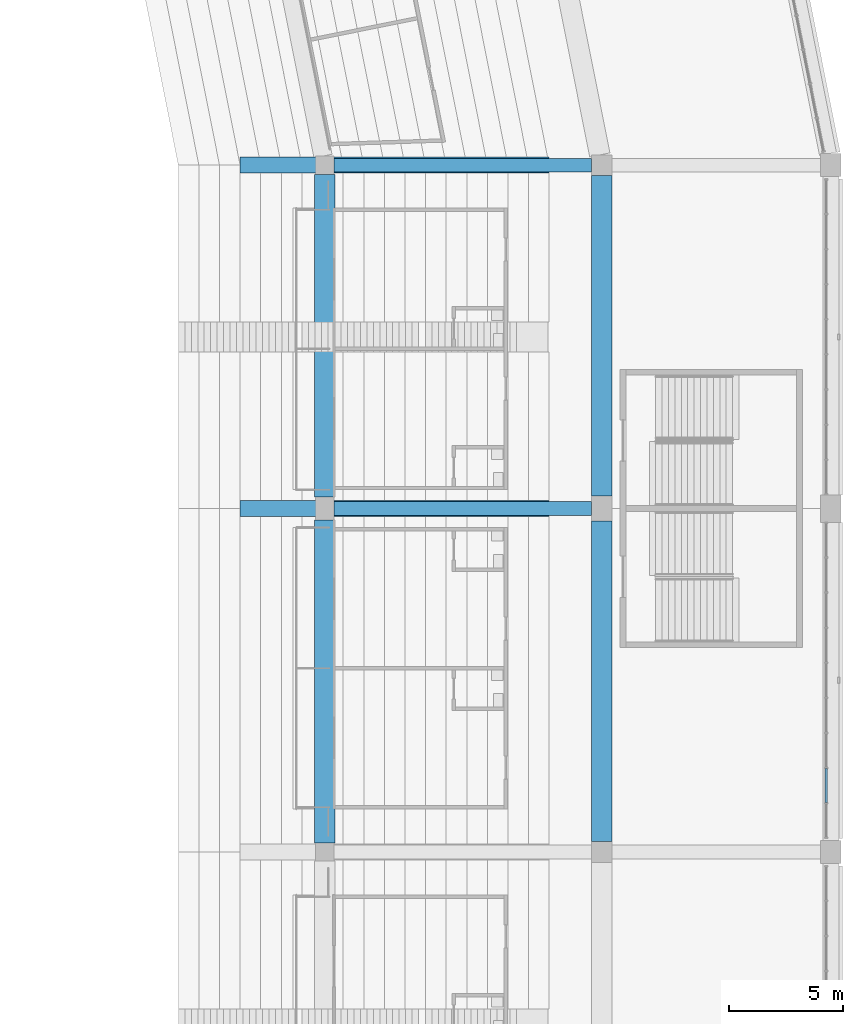
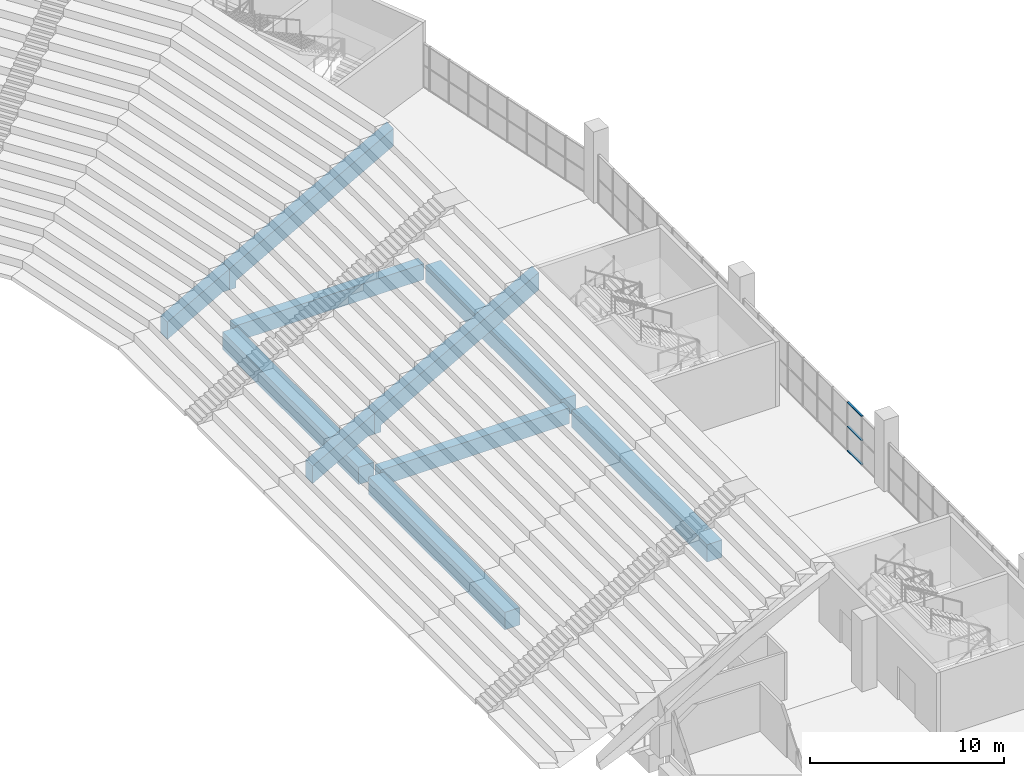
# One storey, part 54 of 249: 10 beams, 3 members, 1 element without a shape of its own.
"""IFC4 building model written with IfcOpenShell, lengths in metres."""

from ifc_helpers import new_model, si_unit, direction, frame, origin, origin_2d, place, context, subcontext, project, spatial, polyline, rectangle, outline, extrude, material, material_profile, profile_set, type_object, element, aggregate, save


model = new_model("IFC4")

# Units and contexts
model_context = context("Model", 3, precision=1e-05, world=origin(), true_north=direction((0.0, 1.0)))
body_context = subcontext(model_context, "Body", "Model", "MODEL_VIEW")
ifc_project = project(units=[si_unit("LENGTHUNIT", "METRE"), si_unit("AREAUNIT", "SQUARE_METRE"), si_unit("VOLUMEUNIT", "CUBIC_METRE"), si_unit("PLANEANGLEUNIT", "RADIAN"), si_unit("MASSUNIT", "GRAM", prefix="KILO")], contexts=[model_context])

# Site, building, storey
site_placement = place(None, origin())
site = spatial("IfcSite", under=ifc_project, at=site_placement, CompositionType="ELEMENT")
building_placement = place(site_placement, origin())
building = spatial("IfcBuilding", under=site, at=building_placement, Name="Ogive Plaza Stadium", CompositionType="ELEMENT")
storey_placement = place(building_placement, frame((0.0, 0.0, 13.5)))
storey = spatial("IfcBuildingStorey", under=building, at=storey_placement, Name="L03", CompositionType="ELEMENT", Elevation=13.5)

# Curtain wall, members
ifc_material_1 = material(Name="Bronze-anodised aluminium with laminated glass", Category="aluminium")
curtain_wall_type = type_object("IfcCurtainWallType", Name="Lancet curtain wall", PredefinedType="NOTDEFINED", material=ifc_material_1)
curtain_wall_placement = place(storey_placement, origin())
curtain_wall = element("IfcCurtainWall", 1, at=curtain_wall_placement, inside=storey, type_object=curtain_wall_type, Name="CURTAIN WALL B02 L03", PredefinedType="NOTDEFINED")
ifc_material_2 = material(Name="Bronze-anodised aluminium", Category="aluminium")
ifc_material_profile_1 = material_profile(ifc_material_2, rectangle(XDim=0.1201171875, YDim=0.050048828125, at=origin_2d()), Name="AL 120x50")
ifc_profile_set_1 = profile_set([ifc_material_profile_1], Name="Bronze-anodised aluminium")
member_type = type_object("IfcMemberType", Name="Curtain wall transom 50x120", PredefinedType="USERDEFINED", material=ifc_profile_set_1)
member_1_placement = place(storey_placement, frame((83.800048828125, 26.1416015625, 0.02490234375), z_axis=(0.0, -1.0, 0.0), x_axis=(1.0, 0.0, 0.0)))
member_1 = element("IfcMember", 2, at=member_1_placement, type_object=member_type, Name="CW-B02-L03 transom 8.1", ObjectType="TRANSOM", PredefinedType="USERDEFINED", context=body_context, shape_type="SweptSolid", body=[
    extrude(rectangle(XDim=0.1201171875, YDim=0.050048828125, at=origin_2d()), origin(), (0.0, 0.0, 1.0), 1.483154296875),
])
member_2_placement = place(storey_placement, frame((83.800048828125, 26.1416015625, 1.544921875), z_axis=(0.0, -1.0, 0.0), x_axis=(1.0, 0.0, 0.0)))
member_2 = element("IfcMember", 3, at=member_2_placement, type_object=member_type, Name="CW-B02-L03 transom 8.2", ObjectType="TRANSOM", PredefinedType="USERDEFINED", context=body_context, shape_type="SweptSolid", body=[
    extrude(rectangle(XDim=0.1201171875, YDim=0.050048828125, at=origin_2d()), origin(), (0.0, 0.0, 1.0), 1.483154296875),
])
member_3_placement = place(storey_placement, frame((83.800048828125, 26.1416015625, 3.06494140625), z_axis=(0.0, -1.0, 0.0), x_axis=(1.0, 0.0, 0.0)))
member_3 = element("IfcMember", 4, at=member_3_placement, type_object=member_type, Name="CW-B02-L03 transom 8.3", ObjectType="TRANSOM", PredefinedType="USERDEFINED", context=body_context, shape_type="SweptSolid", body=[
    extrude(rectangle(XDim=0.1201171875, YDim=0.050048828125, at=origin_2d()), origin(), (0.0, 0.0, 1.0), 1.483154296875),
])
aggregate(curtain_wall, [member_1, member_2, member_3])

# Beams
ifc_material_3 = material(Name="Concrete C45/55 precast", Category="concrete")
ifc_material_profile_2 = material_profile(ifc_material_3, rectangle(XDim=0.699951171875, YDim=1.10009765625, at=origin_2d()), Name="RC 700x1100")
ifc_profile_set_2 = profile_set([ifc_material_profile_2], Name="Concrete C45/55 precast")
beam_type_1 = type_object("IfcBeamType", Name="Precast raker UT back-span 700x1100", PredefinedType="USERDEFINED", material=ifc_profile_set_2)
for number, where, z_axis, x_axis, name in (
    (5, (34.0, 52.5, -13.5), (0.0, 0.0, 1.0), (1.0, 0.0, 0.0), "RAKER UT BACK-SPAN R01"),
    (6, (34.0, 37.5, -13.5), (0.0, 0.0, 1.0), (1.0, 0.0, 0.0), "RAKER UT BACK-SPAN R02"),
):
    element("IfcBeam", number, at=place(storey_placement, frame(where, z_axis=z_axis, x_axis=x_axis)), inside=storey, type_object=beam_type_1, Name=name, ObjectType="RAKER", PredefinedType="USERDEFINED", context=body_context, shape_type="SweptSolid", body=[
        extrude(outline(polyline([(27.89990234375, 15.533203125), (28.300048828125, 15.533203125), (28.300048828125, 15.977783203125), (37.699951171875, 21.199951171875), (37.699951171875, 22.300048828125), (27.89990234375, 16.855712890625), (27.89990234375, 15.533203125)])), frame((0.0, 0.35009765625, 0.0), z_axis=(0.0, -1.0, 0.0), x_axis=(1.0, 0.0, 0.0)), (0.0, 0.0, 1.0), 0.699951171875),
    ])
ifc_material_4 = material(Name="Concrete C45/55 precast", Category="concrete")
ifc_material_profile_3 = material_profile(ifc_material_4, rectangle(XDim=0.699951171875, YDim=1.10009765625, at=origin_2d()), Name="RC 700x1100")
ifc_profile_set_3 = profile_set([ifc_material_profile_3], Name="Concrete C45/55 precast")
beam_type_2 = type_object("IfcBeamType", Name="Precast raker UT cantilever 700x1100", PredefinedType="USERDEFINED", material=ifc_profile_set_3)
for number, where, z_axis, x_axis, name in (
    (7, (34.0, 52.5, -13.5), (0.0, 0.0, 1.0), (1.0, 0.0, 0.0), "RAKER UT CANTILEVER R01"),
    (8, (34.0, 37.5, -13.5), (0.0, 0.0, 1.0), (1.0, 0.0, 0.0), "RAKER UT CANTILEVER R02"),
):
    element("IfcBeam", number, at=place(storey_placement, frame(where, z_axis=z_axis, x_axis=x_axis)), inside=storey, type_object=beam_type_2, Name=name, ObjectType="RAKER", PredefinedType="USERDEFINED", context=body_context, shape_type="SweptSolid", body=[
        extrude(outline(polyline([(24.199951171875, 13.699951171875), (27.5, 15.533203125), (27.89990234375, 15.533203125), (27.89990234375, 16.855712890625), (24.199951171875, 14.800048828125), (24.199951171875, 13.699951171875)])), frame((0.0, 0.35009765625, 0.0), z_axis=(0.0, -1.0, 0.0), x_axis=(1.0, 0.0, 0.0)), (0.0, 0.0, 1.0), 0.699951171875),
    ])
ifc_material_5 = material(Name="Concrete C40/50", Category="concrete")
ifc_material_profile_4 = material_profile(ifc_material_5, rectangle(XDim=0.60009765625, YDim=1.0, at=origin_2d()), Name="RC 600x1000")
ifc_profile_set_4 = profile_set([ifc_material_profile_4], Name="Concrete C40/50")
beam_type_3 = type_object("IfcBeamType", Name="RC radial beam 600x1000", PredefinedType="BEAM", material=ifc_profile_set_4)
for number, where, z_axis, x_axis, name in (
    (9, (62.300048828125, 52.5, -0.909912109375), (1.0, 0.0, 0.0), (0.0, 1.0, 0.0), "Radial beam L03 R01 F3F4"),
    (10, (62.300048828125, 37.5, -0.909912109375), (1.0, 0.0, 0.0), (0.0, 1.0, 0.0), "Radial beam L03 R02 F3F4"),
):
    element("IfcBeam", number, at=place(storey_placement, frame(where, z_axis=z_axis, x_axis=x_axis)), inside=storey, type_object=beam_type_3, Name=name, PredefinedType="BEAM", context=body_context, shape_type="SweptSolid", body=[
        extrude(rectangle(XDim=0.60009765625, YDim=1.0, at=origin_2d()), origin(), (0.0, 0.0, 1.0), 11.25),
    ])
ifc_material_6 = material(Name="Concrete C40/50", Category="concrete")
ifc_material_profile_5 = material_profile(ifc_material_6, rectangle(XDim=0.89990234375, YDim=1.10009765625, at=origin_2d()), Name="RC 900x1100")
ifc_profile_set_5 = profile_set([ifc_material_profile_5], Name="Concrete C40/50")
beam_type_4 = type_object("IfcBeamType", Name="RC ring beam 900x1100", PredefinedType="BEAM", material=ifc_profile_set_5)
beam_1_placement = place(storey_placement, frame((74.0, 52.050048828125, -0.9599609375), z_axis=(0.0, -1.0, 0.0), x_axis=(1.0, 0.0, 0.0)))
element("IfcBeam", 11, at=beam_1_placement, inside=storey, type_object=beam_type_4, Name="Ring beam F4 L03 B01", PredefinedType="BEAM", context=body_context, shape_type="SweptSolid", body=[
    extrude(rectangle(XDim=0.89990234375, YDim=1.10009765625, at=origin_2d()), origin(), (0.0, 0.0, 1.0), 14.0),
])
beam_2_placement = place(storey_placement, frame((61.89990234375, 52.10009765625, -0.9599609375), z_axis=(0.0, -1.0, 0.0), x_axis=(1.0, 0.0, 0.0)))
element("IfcBeam", 12, at=beam_2_placement, inside=storey, type_object=beam_type_4, Name="Ring beam F3 L03 B01", PredefinedType="BEAM", context=body_context, shape_type="SweptSolid", body=[
    extrude(rectangle(XDim=0.89990234375, YDim=1.10009765625, at=origin_2d()), origin(), (0.0, 0.0, 1.0), 14.10009765625),
])
beam_3_placement = place(storey_placement, frame((74.0, 36.949951171875, -0.9599609375), z_axis=(0.0, -1.0, 0.0), x_axis=(1.0, 0.0, 0.0)))
element("IfcBeam", 13, at=beam_3_placement, inside=storey, type_object=beam_type_4, Name="Ring beam F4 L03 B02", PredefinedType="BEAM", context=body_context, shape_type="SweptSolid", body=[
    extrude(rectangle(XDim=0.89990234375, YDim=1.10009765625, at=origin_2d()), origin(), (0.0, 0.0, 1.0), 14.0),
])
beam_4_placement = place(storey_placement, frame((61.89990234375, 37.0, -0.9599609375), z_axis=(0.0, -1.0, 0.0), x_axis=(1.0, 0.0, 0.0)))
element("IfcBeam", 14, at=beam_4_placement, inside=storey, type_object=beam_type_4, Name="Ring beam F3 L03 B02", PredefinedType="BEAM", context=body_context, shape_type="SweptSolid", body=[
    extrude(rectangle(XDim=0.89990234375, YDim=1.10009765625, at=origin_2d()), origin(), (0.0, 0.0, 1.0), 14.10009765625),
])

save(model, "model.ifc")
